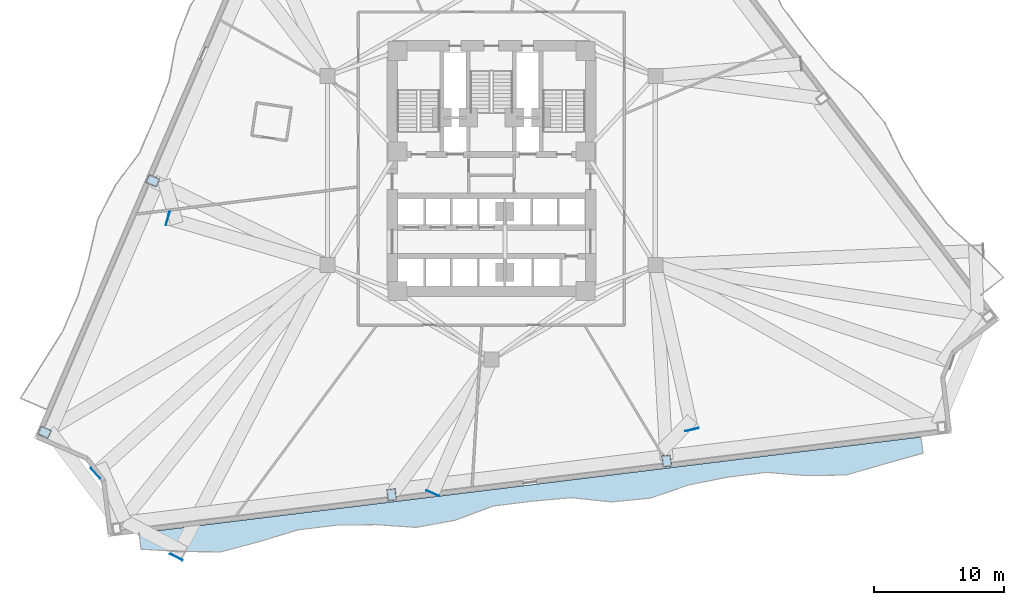
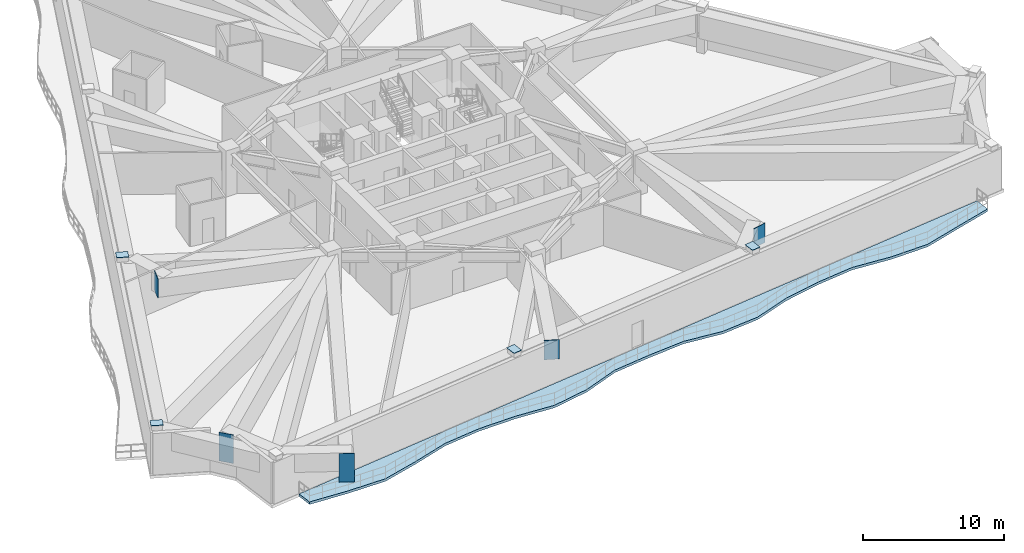
# One storey, part 3 of 14: 9 plates, 1 slab.
"""IFC4 building model written with IfcOpenShell, lengths in metres."""

from ifc_helpers import new_model, si_unit, direction, frame, origin, origin_2d, place, context, subcontext, project, spatial, polyline, rectangle, outline, extrude, material, layer, layer_set, type_object, element, save


model = new_model("IFC4")

# Units and contexts
model_context = context("Model", 3, precision=1e-05, world=origin(), true_north=direction((0.0, 1.0)))
body_context = subcontext(model_context, "Body", "Model", "MODEL_VIEW")
ifc_project = project(units=[si_unit("LENGTHUNIT", "METRE"), si_unit("AREAUNIT", "SQUARE_METRE"), si_unit("VOLUMEUNIT", "CUBIC_METRE"), si_unit("PLANEANGLEUNIT", "RADIAN"), si_unit("MASSUNIT", "GRAM", prefix="KILO")], contexts=[model_context])

# Site, building, storey
site_placement = place(None, origin())
site = spatial("IfcSite", under=ifc_project, at=site_placement, CompositionType="ELEMENT")
building_placement = place(site_placement, origin())
building = spatial("IfcBuilding", under=site, at=building_placement, Name="Apsidion Concourse Tower", CompositionType="ELEMENT")
storey_placement = place(building_placement, frame((0.0, 0.0, 91.0)))
storey = spatial("IfcBuildingStorey", under=building, at=storey_placement, Name="L20", CompositionType="ELEMENT", Elevation=91.0)

# Plates
ifc_material_1 = material(Name="Structural steel ASTM A572 Grade 50", Category="steel")
ifc_layer_1 = layer(ifc_material_1, 0.034912109375)
ifc_layer_set_1 = layer_set([ifc_layer_1], Name="Structural steel ASTM A572 Grade 50")
plate_type = type_object("IfcPlateType", Name="PL-ENDCAP-35", PredefinedType="USERDEFINED", material=ifc_layer_set_1)
for number, where, z_axis, x_axis, name in (
    (1, (-25.95166015625, -0.787353515625, 3.998046875), (0.0, 0.0, 1.0), (0.395545502563, 0.918446381343, 0.0), "L20 Step-Top Column End-Cap Plate PCCAP-PC03"),
    (2, (-34.25537109375, -20.069580078125, 3.998046875), (0.0, 0.0, 1.0), (0.395545502563, 0.918446381343, 0.0), "L20 Step-Top Column End-Cap Plate PCCAP-PC04"),
    (3, (-7.647216796875, -24.85595703125, 3.998046875), (0.0, 0.0, 1.0), (0.992546151641, 0.121869343405, 0.0), "L20 Step-Top Column End-Cap Plate PCCAP-PC06"),
    (4, (13.433349609375, -22.267578125, 3.998046875), (0.0, 0.0, 1.0), (0.992546151641, 0.121869343405, 0.0), "L20 Step-Top Column End-Cap Plate PCCAP-PC07"),
):
    element("IfcPlate", number, at=place(storey_placement, frame(where, z_axis=z_axis, x_axis=x_axis)), inside=storey, type_object=plate_type, Name=name, ObjectType="FLANGE_PLATE", PredefinedType="USERDEFINED", context=body_context, shape_type="SweptSolid", body=[
        extrude(rectangle(XDim=0.679931640625, YDim=0.8798828125, at=origin_2d()), origin(), (0.0, 0.0, 1.0), 0.0400390625),
    ])
plate_placement = place(storey_placement, frame((-24.810302734375, -3.66943359375, 1.9599609375), z_axis=(0.0, 0.0, 1.0), x_axis=(-0.959854262938, 0.280499187022, 0.0)))
element("IfcPlate", 5, at=plate_placement, inside=storey, type_object=plate_type, Name="L20 Radial Transfer Girder End-Cap Plate NTRCAP-03", ObjectType="FLANGE_PLATE", PredefinedType="USERDEFINED", context=body_context, shape_type="SweptSolid", body=[
    extrude(rectangle(XDim=0.044921875, YDim=1.080078125, at=origin_2d()), origin(), (0.0, 0.0, 1.0), 1.679931640625),
])
for number, where, z_axis, x_axis, name in (
    (6, (-30.348876953125, -23.213134765625, 1.159912109375), (0.0, 0.0, 1.0), (-0.744311546231, -0.667832555471, 0.0), "L20 Radial Transfer Girder End-Cap Plate NTRCAP-04"),
    (7, (-24.160400390625, -29.628662109375, 1.159912109375), (0.0, 0.0, 1.0), (-0.460199784784, -0.887815385136, 0.0), "L20 Radial Transfer Girder End-Cap Plate NTRCAP-05"),
):
    element("IfcPlate", number, at=place(storey_placement, frame(where, z_axis=z_axis, x_axis=x_axis)), inside=storey, type_object=plate_type, Name=name, ObjectType="FLANGE_PLATE", PredefinedType="USERDEFINED", context=body_context, shape_type="SweptSolid", body=[
        extrude(rectangle(XDim=0.044921875, YDim=1.080078125, at=origin_2d()), origin(), (0.0, 0.0, 1.0), 2.47998046875),
    ])
for number, where, z_axis, x_axis, name in (
    (8, (-4.49560546875, -24.7412109375, 1.9599609375), (0.0, 0.0, 1.0), (-0.401947776656, -0.91566259334, 0.0), "L20 Radial Transfer Girder End-Cap Plate NTRCAP-06"),
    (9, (15.3759765625, -19.86572265625, 1.9599609375), (0.0, 0.0, 1.0), (0.217802568899, -0.975992848837, 0.0), "L20 Radial Transfer Girder End-Cap Plate NTRCAP-07"),
):
    element("IfcPlate", number, at=place(storey_placement, frame(where, z_axis=z_axis, x_axis=x_axis)), inside=storey, type_object=plate_type, Name=name, ObjectType="FLANGE_PLATE", PredefinedType="USERDEFINED", context=body_context, shape_type="SweptSolid", body=[
        extrude(rectangle(XDim=0.044921875, YDim=1.080078125, at=origin_2d()), origin(), (0.0, 0.0, 1.0), 1.679931640625),
    ])

# Slab
ifc_material_2 = material(Name="Concrete C50/60", Category="concrete")
ifc_layer_2 = layer(ifc_material_2, 0.219970703125)
ifc_layer_set_2 = layer_set([ifc_layer_2], Name="Concrete C50/60")
slab_type = type_object("IfcSlabType", Name="SL-BAL-220", PredefinedType="FLOOR", material=ifc_layer_set_2)
slab_placement = place(storey_placement, frame((0.0, 0.0, -0.219970703125)))
element("IfcSlab", 10, at=slab_placement, inside=storey, type_object=slab_type, Name="L20 Face 2 Rippling Balcony Slab", PredefinedType="FLOOR", context=body_context, shape_type="SweptSolid", body=[
    extrude(outline(polyline([(-27.01171875, -27.78759765625), (-24.014404296875, -27.419677734375), (-21.017333984375, -27.0517578125), (-18.02001953125, -26.68359375), (-15.02294921875, -26.315673828125), (-12.02587890625, -25.94775390625), (-9.028564453125, -25.57958984375), (-6.031494140625, -25.211669921875), (-3.0341796875, -24.84375), (-0.037109375, -24.4755859375), (2.9599609375, -24.107666015625), (5.957275390625, -23.73974609375), (8.954345703125, -23.37158203125), (11.951416015625, -23.003662109375), (14.94873046875, -22.6357421875), (17.94580078125, -22.267578125), (20.943115234375, -21.899658203125), (23.940185546875, -21.53173828125), (26.9375, -21.163818359375), (29.9345703125, -20.795654296875), (32.931640625, -20.427734375), (33.083984375, -21.66845703125), (30.142578125, -22.4912109375), (27.20458984375, -23.341064453125), (24.168701171875, -23.39306640625), (21.095458984375, -23.140380859375), (18.09814453125, -23.50830078125), (15.129150390625, -24.1044921875), (12.210205078125, -25.1103515625), (9.2041015625, -25.406494140625), (6.1220703125, -25.082763671875), (3.1123046875, -25.348388671875), (0.116455078125, -25.726318359375), (-2.79296875, -26.809326171875), (-5.767822265625, -27.358642578125), (-8.8359375, -27.14794921875), (-11.873291015625, -27.1884765625), (-14.87060546875, -27.556396484375), (-17.802490234375, -28.455078125), (-20.749267578125, -29.235107421875), (-23.794677734375, -29.209716796875), (-26.859375, -29.0283203125), (-27.01171875, -27.78759765625)])), origin(), (0.0, 0.0, 1.0), 0.219970703125),
])

save(model, "model.ifc")
